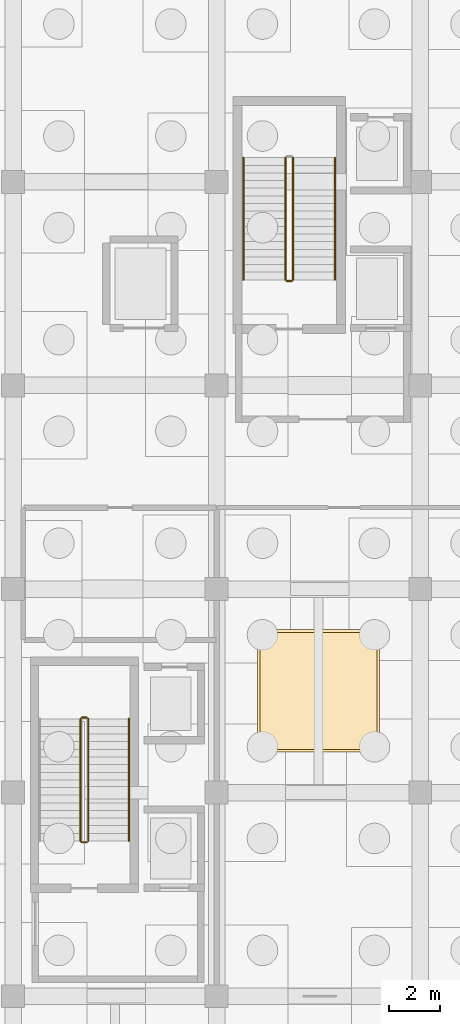
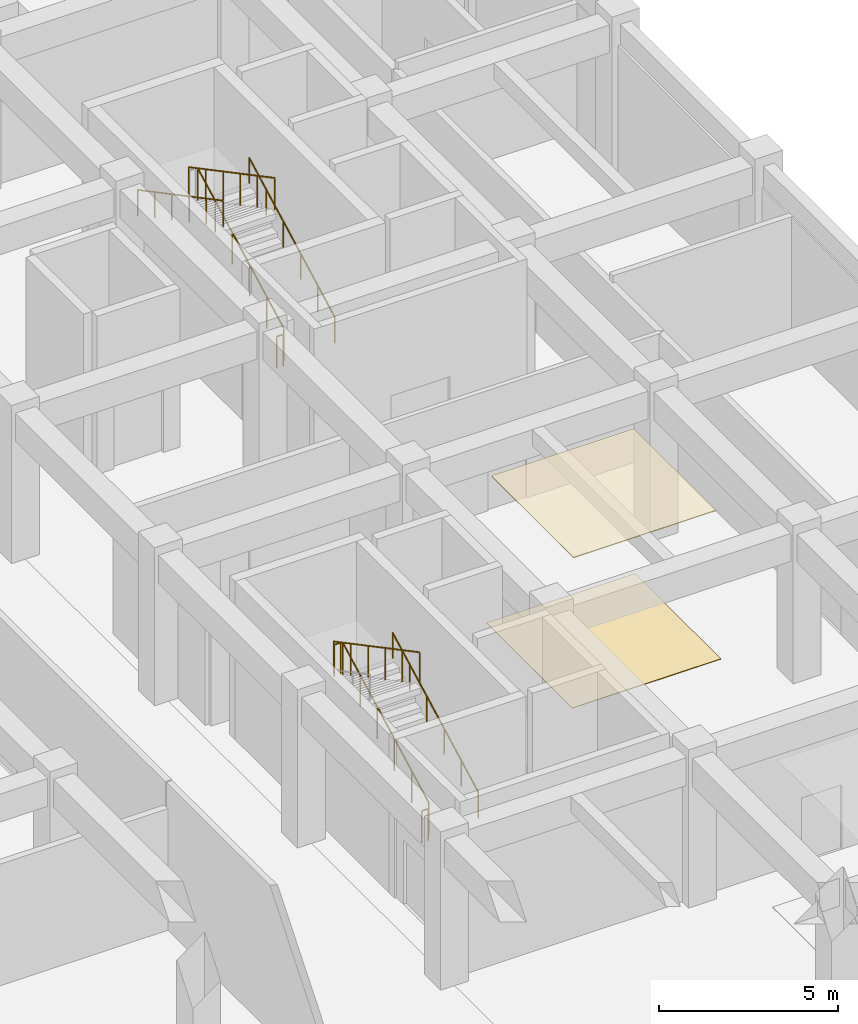
# One storey, part 43 of 45: 10 railings, 2 coverings.
"""IFC4 building model written with IfcOpenShell, lengths in metres."""

from ifc_helpers import new_model, si_unit, direction, frame, origin, origin_2d, place, context, subcontext, project, spatial, rectangle, circle, extrude, material, layer, layer_set, type_object, element, save


model = new_model("IFC4")

# Units and contexts
model_context = context("Model", 3, precision=1e-05, world=origin(), true_north=direction((0.0, 1.0)))
body_context = subcontext(model_context, "Body", "Model", "MODEL_VIEW")
ifc_project = project(units=[si_unit("LENGTHUNIT", "METRE"), si_unit("AREAUNIT", "SQUARE_METRE"), si_unit("VOLUMEUNIT", "CUBIC_METRE"), si_unit("PLANEANGLEUNIT", "RADIAN"), si_unit("MASSUNIT", "GRAM", prefix="KILO")], contexts=[model_context])

# Site, building, storey
site_placement = place(None, origin())
site = spatial("IfcSite", under=ifc_project, at=site_placement, CompositionType="ELEMENT")
building_placement = place(site_placement, origin())
building = spatial("IfcBuilding", under=site, at=building_placement, Name="Kenh Van Central Station", CompositionType="ELEMENT")
storey_placement = place(building_placement, frame((0.0, 0.0, -5.39990234375)))
storey = spatial("IfcBuildingStorey", under=building, at=storey_placement, Name="B1", CompositionType="ELEMENT", Elevation=-5.39990234375)

# Coverings
ifc_material_1 = material(Name="Perforated acoustic mineral ceiling board")
ifc_layer_1 = layer(ifc_material_1, 0.02490234375, Name="Perforated acoustic mineral ceiling board")
ifc_layer_set_1 = layer_set([ifc_layer_1], Name="Perforated acoustic mineral ceiling board")
covering_type_1 = type_object("IfcCoveringType", Name="COV-CEIL-ACOUST", PredefinedType="CEILING", material=ifc_layer_set_1)
covering_1_placement = place(storey_placement, frame((164.0, 36.0, 5.036865234375), z_axis=(0.0, 0.0, 1.0), x_axis=(1.0, 0.0, 0.0)))
element("IfcCovering", 1, at=covering_1_placement, inside=storey, type_object=covering_type_1, Name="B1 acoustic ceiling panel 016", PredefinedType="CEILING", context=body_context, shape_type="SweptSolid", body=[
    extrude(rectangle(XDim=4.60009765625, YDim=4.60009765625, at=origin_2d()), origin(), (0.0, 0.0, 1.0), 0.02490234375),
])
ifc_material_2 = material(Name="Polished station granite terrazzo", Category="masonry")
ifc_layer_2 = layer(ifc_material_2, 0.02001953125, Name="Polished station granite terrazzo")
ifc_layer_set_2 = layer_set([ifc_layer_2], Name="Polished station granite terrazzo")
covering_type_2 = type_object("IfcCoveringType", Name="COV-FLR-GRANITE", PredefinedType="FLOORING", material=ifc_layer_set_2)
covering_2_placement = place(storey_placement, frame((164.0, 36.0, 0.0), z_axis=(0.0, 0.0, 1.0), x_axis=(1.0, 0.0, 0.0)))
element("IfcCovering", 2, at=covering_2_placement, inside=storey, type_object=covering_type_2, Name="B1 granite floor finish 016", PredefinedType="FLOORING", context=body_context, shape_type="SweptSolid", body=[
    extrude(rectangle(XDim=4.800048828125, YDim=4.800048828125, at=origin_2d()), origin(), (0.0, 0.0, 1.0), 0.02001953125),
])

# Railings
ifc_material_3 = material(Name="Champagne anodised aluminium", Category="aluminium")
railing_type_1 = type_object("IfcRailingType", Name="RAIL-CORE-GRD110", PredefinedType="GUARDRAIL", material=ifc_material_3)
railing_1_placement = place(storey_placement, frame((154.949951171875, 30.10009765625, 0.15869140625)))
element("IfcRailing", 3, at=railing_1_placement, inside=storey, type_object=railing_type_1, Name="B1 ST-09 stair guard 1", PredefinedType="GUARDRAIL", context=body_context, shape_type="SweptSolid", body=[
    extrude(circle(Radius=0.02392578125, at=origin_2d()), frame((0.0, 0.0, 1.076171875), z_axis=(0.0, 0.883773701108, 0.467914570439), x_axis=(-1.0, 0.0, 0.0)), (0.0, 0.0, 1.0), 5.43115234375),
    extrude(circle(Radius=0.02099609375, at=origin_2d()), origin(), (0.0, 0.0, 1.0), 1.052001953125),
    extrude(circle(Radius=0.02099609375, at=origin_2d()), frame((0.0, 0.9599609375, 0.50830078125)), (0.0, 0.0, 1.0), 1.052001953125),
    extrude(circle(Radius=0.02099609375, at=origin_2d()), frame((0.0, 1.919921875, 1.0166015625)), (0.0, 0.0, 1.0), 1.052001953125),
    extrude(circle(Radius=0.02099609375, at=origin_2d()), frame((0.0, 2.8798828125, 1.524658203125)), (0.0, 0.0, 1.0), 1.052001953125),
    extrude(circle(Radius=0.02099609375, at=origin_2d()), frame((0.0, 3.83984375, 2.032958984375)), (0.0, 0.0, 1.0), 1.052001953125),
    extrude(circle(Radius=0.02099609375, at=origin_2d()), frame((0.0, 4.7998046875, 2.541259765625)), (0.0, 0.0, 1.0), 1.052001953125),
])
railing_2_placement = place(storey_placement, frame((154.89990234375, 34.949951171875, 2.699951171875)))
element("IfcRailing", 4, at=railing_2_placement, inside=storey, type_object=railing_type_1, Name="B1 ST-09 stair guard 2", PredefinedType="GUARDRAIL", context=body_context, shape_type="SweptSolid", body=[
    extrude(circle(Radius=0.02392578125, at=origin_2d()), frame((0.0, 0.0, 1.076171875), z_axis=(-1.0, 0.0, 0.0), x_axis=(0.0, -1.0, 0.0)), (0.0, 0.0, 1.0), 0.199951171875),
    extrude(circle(Radius=0.02099609375, at=origin_2d()), origin(), (0.0, 0.0, 1.0), 1.052001953125),
    extrude(circle(Radius=0.02099609375, at=origin_2d()), frame((-0.199951171875, 0.0, 0.0)), (0.0, 0.0, 1.0), 1.052001953125),
])
railing_3_placement = place(storey_placement, frame((154.64990234375, 34.89990234375, 2.858642578125)))
element("IfcRailing", 5, at=railing_3_placement, inside=storey, type_object=railing_type_1, Name="B1 ST-09 stair guard 3", PredefinedType="GUARDRAIL", context=body_context, shape_type="SweptSolid", body=[
    extrude(circle(Radius=0.02392578125, at=origin_2d()), frame((0.0, 0.0, 1.076171875), z_axis=(0.0, -0.883773701108, 0.467914570439), x_axis=(1.0, 0.0, 0.0)), (0.0, 0.0, 1.0), 5.43115234375),
    extrude(circle(Radius=0.02099609375, at=origin_2d()), origin(), (0.0, 0.0, 1.0), 1.052001953125),
    extrude(circle(Radius=0.02099609375, at=origin_2d()), frame((0.0, -0.9599609375, 0.50830078125)), (0.0, 0.0, 1.0), 1.052001953125),
    extrude(circle(Radius=0.02099609375, at=origin_2d()), frame((0.0, -1.919921875, 1.0166015625)), (0.0, 0.0, 1.0), 1.052001953125),
    extrude(circle(Radius=0.02099609375, at=origin_2d()), frame((0.0, -2.8798828125, 1.524658203125)), (0.0, 0.0, 1.0), 1.052001953125),
    extrude(circle(Radius=0.02099609375, at=origin_2d()), frame((0.0, -3.83984375, 2.032958984375)), (0.0, 0.0, 1.0), 1.052001953125),
    extrude(circle(Radius=0.02099609375, at=origin_2d()), frame((0.0, -4.7998046875, 2.541259765625)), (0.0, 0.0, 1.0), 1.052001953125),
])
railing_4_placement = place(storey_placement, frame((154.89990234375, 30.050048828125, 0.0)))
element("IfcRailing", 6, at=railing_4_placement, inside=storey, type_object=railing_type_1, Name="B1 ST-09 stair guard 4", PredefinedType="GUARDRAIL", context=body_context, shape_type="SweptSolid", body=[
    extrude(circle(Radius=0.02392578125, at=origin_2d()), frame((0.0, 0.0, 1.076171875), z_axis=(-1.0, 0.0, 0.0), x_axis=(0.0, -1.0, 0.0)), (0.0, 0.0, 1.0), 0.199951171875),
    extrude(circle(Radius=0.02099609375, at=origin_2d()), origin(), (0.0, 0.0, 1.0), 1.052001953125),
    extrude(circle(Radius=0.02099609375, at=origin_2d()), frame((-0.199951171875, 0.0, 0.0)), (0.0, 0.0, 1.0), 1.052001953125),
])
railing_5_placement = place(storey_placement, frame((163.0, 52.14990234375, 0.15869140625)))
element("IfcRailing", 7, at=railing_5_placement, inside=storey, type_object=railing_type_1, Name="B1 ST-10 stair guard 1", PredefinedType="GUARDRAIL", context=body_context, shape_type="SweptSolid", body=[
    extrude(circle(Radius=0.02392578125, at=origin_2d()), frame((0.0, 0.0, 1.076171875), z_axis=(0.0, 0.883783542688, 0.467895981682), x_axis=(-1.0, 0.0, 0.0)), (0.0, 0.0, 1.0), 5.43115234375),
    extrude(circle(Radius=0.02099609375, at=origin_2d()), origin(), (0.0, 0.0, 1.0), 1.052001953125),
    extrude(circle(Radius=0.02099609375, at=origin_2d()), frame((0.0, 0.9599609375, 0.50830078125)), (0.0, 0.0, 1.0), 1.052001953125),
    extrude(circle(Radius=0.02099609375, at=origin_2d()), frame((0.0, 1.919921875, 1.0166015625)), (0.0, 0.0, 1.0), 1.052001953125),
    extrude(circle(Radius=0.02099609375, at=origin_2d()), frame((0.0, 2.880126953125, 1.524658203125)), (0.0, 0.0, 1.0), 1.052001953125),
    extrude(circle(Radius=0.02099609375, at=origin_2d()), frame((0.0, 3.840087890625, 2.032958984375)), (0.0, 0.0, 1.0), 1.052001953125),
    extrude(circle(Radius=0.02099609375, at=origin_2d()), frame((0.0, 4.800048828125, 2.541259765625)), (0.0, 0.0, 1.0), 1.052001953125),
])
railing_6_placement = place(storey_placement, frame((162.699951171875, 56.949951171875, 2.858642578125)))
element("IfcRailing", 8, at=railing_6_placement, inside=storey, type_object=railing_type_1, Name="B1 ST-10 stair guard 3", PredefinedType="GUARDRAIL", context=body_context, shape_type="SweptSolid", body=[
    extrude(circle(Radius=0.02392578125, at=origin_2d()), frame((0.0, 0.0, 1.076171875), z_axis=(0.0, -0.883783542688, 0.467895981682), x_axis=(1.0, 0.0, 0.0)), (0.0, 0.0, 1.0), 5.43115234375),
    extrude(circle(Radius=0.02099609375, at=origin_2d()), origin(), (0.0, 0.0, 1.0), 1.052001953125),
    extrude(circle(Radius=0.02099609375, at=origin_2d()), frame((0.0, -0.9599609375, 0.50830078125)), (0.0, 0.0, 1.0), 1.052001953125),
    extrude(circle(Radius=0.02099609375, at=origin_2d()), frame((0.0, -1.919921875, 1.0166015625)), (0.0, 0.0, 1.0), 1.052001953125),
    extrude(circle(Radius=0.02099609375, at=origin_2d()), frame((0.0, -2.880126953125, 1.524658203125)), (0.0, 0.0, 1.0), 1.052001953125),
    extrude(circle(Radius=0.02099609375, at=origin_2d()), frame((0.0, -3.840087890625, 2.032958984375)), (0.0, 0.0, 1.0), 1.052001953125),
    extrude(circle(Radius=0.02099609375, at=origin_2d()), frame((0.0, -4.800048828125, 2.541259765625)), (0.0, 0.0, 1.0), 1.052001953125),
])
railing_7_placement = place(storey_placement, frame((162.949951171875, 52.10009765625, 0.0)))
element("IfcRailing", 9, at=railing_7_placement, inside=storey, type_object=railing_type_1, Name="B1 ST-10 stair guard 4", PredefinedType="GUARDRAIL", context=body_context, shape_type="SweptSolid", body=[
    extrude(circle(Radius=0.02392578125, at=origin_2d()), frame((0.0, 0.0, 1.076171875), z_axis=(-1.0, 0.0, 0.0), x_axis=(0.0, -1.0, 0.0)), (0.0, 0.0, 1.0), 0.199951171875),
    extrude(circle(Radius=0.02099609375, at=origin_2d()), origin(), (0.0, 0.0, 1.0), 1.052001953125),
    extrude(circle(Radius=0.02099609375, at=origin_2d()), frame((-0.199951171875, 0.0, 0.0)), (0.0, 0.0, 1.0), 1.052001953125),
])
railing_type_2 = type_object("IfcRailingType", Name="RAIL-CORE-HND90", PredefinedType="HANDRAIL", material=ifc_material_3)
railing_8_placement = place(storey_placement, frame((156.550048828125, 30.10009765625, 0.15869140625)))
element("IfcRailing", 10, at=railing_8_placement, inside=storey, type_object=railing_type_2, Name="B1 ST-09 stair handrail 1", PredefinedType="HANDRAIL", context=body_context, shape_type="SweptSolid", body=[
    extrude(circle(Radius=0.02392578125, at=origin_2d()), frame((0.0, 0.0, 0.8759765625), z_axis=(0.0, 0.883773701108, 0.467914570439), x_axis=(-1.0, 0.0, 0.0)), (0.0, 0.0, 1.0), 5.43115234375),
    extrude(circle(Radius=0.02099609375, at=origin_2d()), origin(), (0.0, 0.0, 1.0), 0.851806640625),
    extrude(circle(Radius=0.02099609375, at=origin_2d()), frame((0.0, 0.9599609375, 0.50830078125)), (0.0, 0.0, 1.0), 0.851806640625),
    extrude(circle(Radius=0.02099609375, at=origin_2d()), frame((0.0, 1.919921875, 1.0166015625)), (0.0, 0.0, 1.0), 0.851806640625),
    extrude(circle(Radius=0.02099609375, at=origin_2d()), frame((0.0, 2.8798828125, 1.524658203125)), (0.0, 0.0, 1.0), 0.851806640625),
    extrude(circle(Radius=0.02099609375, at=origin_2d()), frame((0.0, 3.83984375, 2.032958984375)), (0.0, 0.0, 1.0), 0.851806640625),
    extrude(circle(Radius=0.02099609375, at=origin_2d()), frame((0.0, 4.7998046875, 2.541259765625)), (0.0, 0.0, 1.0), 0.851806640625),
])
railing_9_placement = place(storey_placement, frame((164.64990234375, 52.14990234375, 0.15869140625)))
element("IfcRailing", 11, at=railing_9_placement, inside=storey, type_object=railing_type_2, Name="B1 ST-10 stair handrail 1", PredefinedType="HANDRAIL", context=body_context, shape_type="SweptSolid", body=[
    extrude(circle(Radius=0.02392578125, at=origin_2d()), frame((0.0, 0.0, 0.8759765625), z_axis=(0.0, 0.883783542688, 0.467895981682), x_axis=(-1.0, 0.0, 0.0)), (0.0, 0.0, 1.0), 5.43115234375),
    extrude(circle(Radius=0.02099609375, at=origin_2d()), origin(), (0.0, 0.0, 1.0), 0.851806640625),
    extrude(circle(Radius=0.02099609375, at=origin_2d()), frame((0.0, 0.9599609375, 0.50830078125)), (0.0, 0.0, 1.0), 0.851806640625),
    extrude(circle(Radius=0.02099609375, at=origin_2d()), frame((0.0, 1.919921875, 1.0166015625)), (0.0, 0.0, 1.0), 0.851806640625),
    extrude(circle(Radius=0.02099609375, at=origin_2d()), frame((0.0, 2.880126953125, 1.524658203125)), (0.0, 0.0, 1.0), 0.851806640625),
    extrude(circle(Radius=0.02099609375, at=origin_2d()), frame((0.0, 3.840087890625, 2.032958984375)), (0.0, 0.0, 1.0), 0.851806640625),
    extrude(circle(Radius=0.02099609375, at=origin_2d()), frame((0.0, 4.800048828125, 2.541259765625)), (0.0, 0.0, 1.0), 0.851806640625),
])
railing_10_placement = place(storey_placement, frame((161.050048828125, 56.949951171875, 2.858642578125)))
element("IfcRailing", 12, at=railing_10_placement, inside=storey, type_object=railing_type_2, Name="B1 ST-10 stair handrail 2", PredefinedType="HANDRAIL", context=body_context, shape_type="SweptSolid", body=[
    extrude(circle(Radius=0.02392578125, at=origin_2d()), frame((0.0, 0.0, 0.8759765625), z_axis=(0.0, -0.883783542688, 0.467895981682), x_axis=(1.0, 0.0, 0.0)), (0.0, 0.0, 1.0), 5.43115234375),
    extrude(circle(Radius=0.02099609375, at=origin_2d()), origin(), (0.0, 0.0, 1.0), 0.851806640625),
    extrude(circle(Radius=0.02099609375, at=origin_2d()), frame((0.0, -0.9599609375, 0.50830078125)), (0.0, 0.0, 1.0), 0.851806640625),
    extrude(circle(Radius=0.02099609375, at=origin_2d()), frame((0.0, -1.919921875, 1.0166015625)), (0.0, 0.0, 1.0), 0.851806640625),
    extrude(circle(Radius=0.02099609375, at=origin_2d()), frame((0.0, -2.880126953125, 1.524658203125)), (0.0, 0.0, 1.0), 0.851806640625),
    extrude(circle(Radius=0.02099609375, at=origin_2d()), frame((0.0, -3.840087890625, 2.032958984375)), (0.0, 0.0, 1.0), 0.851806640625),
    extrude(circle(Radius=0.02099609375, at=origin_2d()), frame((0.0, -4.800048828125, 2.541259765625)), (0.0, 0.0, 1.0), 0.851806640625),
])

save(model, "model.ifc")
